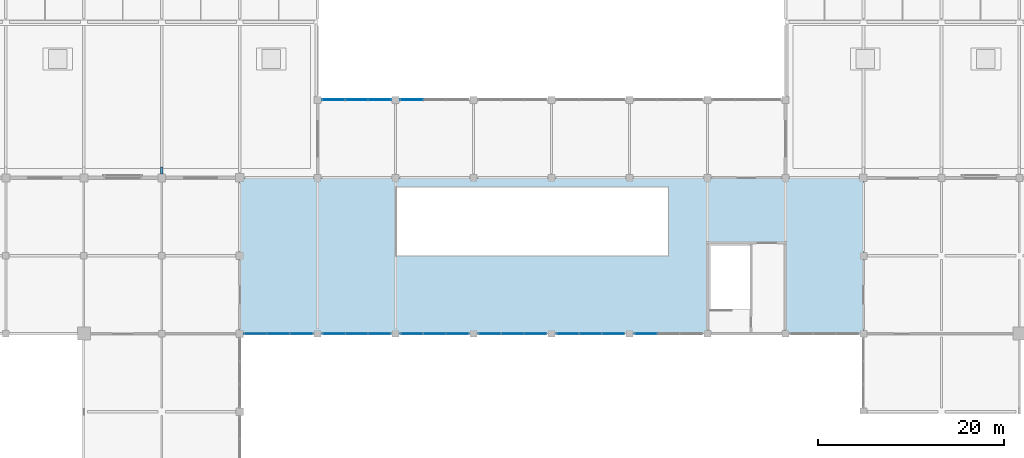
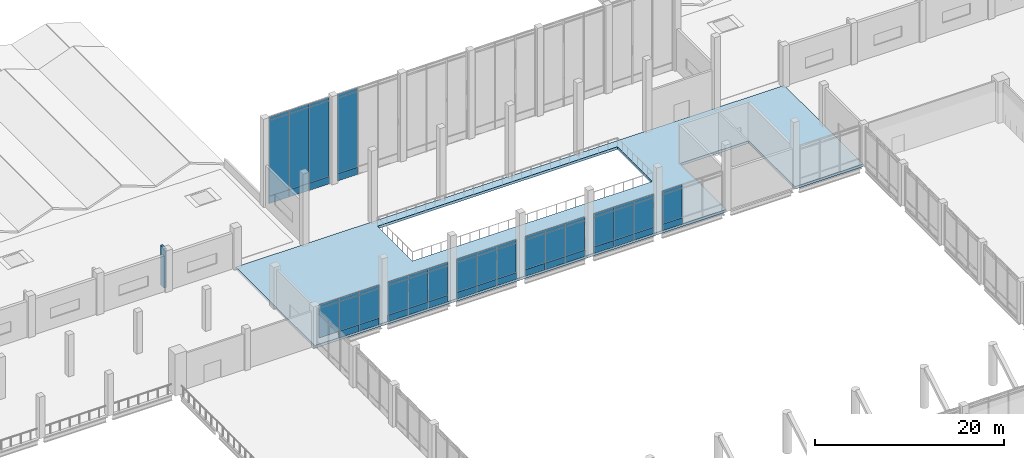
# One storey, part 39 of 72: 60 plates, 1 slab, 8 elements without a shape of their own.
"""IFC4 building model written with IfcOpenShell, lengths in metres."""

from ifc_helpers import new_model, si_unit, direction, frame, frame_2d, origin, place, context, subcontext, project, spatial, polyline, rectangle, outline, extrude, material, layer, layer_set, type_object, element, aggregate, save


model = new_model("IFC4")

# Units and contexts
model_context = context("Model", 3, precision=1e-05, world=origin(), true_north=direction((0.0, 1.0)))
body_context = subcontext(model_context, "Body", "Model", "MODEL_VIEW")
ifc_project = project(units=[si_unit("LENGTHUNIT", "METRE"), si_unit("AREAUNIT", "SQUARE_METRE"), si_unit("VOLUMEUNIT", "CUBIC_METRE"), si_unit("PLANEANGLEUNIT", "RADIAN"), si_unit("MASSUNIT", "GRAM", prefix="KILO")], contexts=[model_context])

# Site, building, storey
site_placement = place(None, origin())
site = spatial("IfcSite", under=ifc_project, at=site_placement, CompositionType="ELEMENT")
building_placement = place(site_placement, origin())
building = spatial("IfcBuilding", under=site, at=building_placement, Name="Qawsi Khor Wholesale Market", CompositionType="ELEMENT")
storey_placement = place(building_placement, frame((0.0, 0.0, 6.0)))
storey = spatial("IfcBuildingStorey", under=building, at=storey_placement, Name="L01", CompositionType="ELEMENT", Elevation=6.0)

# Slab
ifc_material_1 = material(Name="Concrete C40/50", Category="concrete")
ifc_layer_1 = layer(ifc_material_1, 0.330078125, Name="Concrete C40/50")
ifc_layer_set_1 = layer_set([ifc_layer_1], Name="Concrete C40/50")
slab_type = type_object("IfcSlabType", Name="Heavy Lab & Auction Slab 330 C40/50", PredefinedType="FLOOR", material=ifc_layer_set_1)
slab_placement = place(storey_placement, frame((0.0, 0.0, -0.330078125)))
element("IfcSlab", 1, at=slab_placement, inside=storey, type_object=slab_type, Name="SLB-L01-AUC-MAIN", PredefinedType="FLOOR", context=body_context, shape_type="SweptSolid", body=[
    extrude(outline(polyline([(75.60009765625, 109.199951171875), (142.800048828125, 109.199951171875), (142.800048828125, 92.39990234375), (134.39990234375, 92.39990234375), (134.39990234375, 102.199951171875), (126.0, 102.199951171875), (126.0, 92.39990234375), (75.60009765625, 92.39990234375), (75.60009765625, 109.199951171875)]), holes=[polyline([(121.800048828125, 108.199951171875), (92.39990234375, 108.199951171875), (92.39990234375, 100.800048828125), (121.800048828125, 100.800048828125), (121.800048828125, 108.199951171875)])]), origin(), (0.0, 0.0, 1.0), 0.330078125),
])

# Curtain wall, plates
ifc_material_2 = material(Name="Aluminium Anodised Bronze", Category="aluminium")
ifc_layer_2 = layer(ifc_material_2, 0.219970703125, Name="Aluminium Anodised Bronze")
ifc_layer_set_2 = layer_set([ifc_layer_2], Name="Aluminium Anodised Bronze")
curtain_wall_type = type_object("IfcCurtainWallType", Name="Auction Clerestory Curtain Wall CW-04", PredefinedType="NOTDEFINED", material=ifc_layer_set_2)
curtain_wall_1_placement = place(storey_placement, origin())
curtain_wall_1 = element("IfcCurtainWall", 2, at=curtain_wall_1_placement, inside=storey, type_object=curtain_wall_type, Name="Curtain wall CW-CW-04-L01-098", PredefinedType="NOTDEFINED")
ifc_material_3 = material(Name="Anodised Aluminium Spandrel", Category="aluminium")
ifc_layer_3 = layer(ifc_material_3, 0.0849609375, Name="Anodised Aluminium Spandrel")
ifc_layer_set_3 = layer_set([ifc_layer_3], Name="Anodised Aluminium Spandrel")
plate_type_1 = type_object("IfcPlateType", Name="Insulated Spandrel Panel CW-04 85mm", PredefinedType="CURTAIN_PANEL", material=ifc_layer_set_3)
plate_1_placement = place(storey_placement, frame((78.550048828125, 92.39990234375, 0.0048828125), z_axis=(0.0, 0.0, 1.0), x_axis=(1.0, 0.0, 0.0)))
plate_1 = element("IfcPlate", 3, at=plate_1_placement, type_object=plate_type_1, Name="Curtain panel CW-CW-04-L01-098-P0_01", PredefinedType="CURTAIN_PANEL", context=body_context, shape_type="SweptSolid", body=[
    extrude(rectangle(XDim=2.449951171875, YDim=0.0849609375, at=frame_2d((1.22509765625, 0.0))), origin(), (0.0, 0.0, 1.0), 0.840087890625),
])
plate_2_placement = place(storey_placement, frame((81.0, 92.39990234375, 0.0048828125), z_axis=(0.0, 0.0, 1.0), x_axis=(1.0, 0.0, 0.0)))
plate_2 = element("IfcPlate", 4, at=plate_2_placement, type_object=plate_type_1, Name="Curtain panel CW-CW-04-L01-098-P0_02", PredefinedType="CURTAIN_PANEL", context=body_context, shape_type="SweptSolid", body=[
    extrude(rectangle(XDim=2.449951171875, YDim=0.0849609375, at=frame_2d((1.22509765625, 0.0))), origin(), (0.0, 0.0, 1.0), 0.840087890625),
])

curtain_wall_2_placement = place(storey_placement, origin())
curtain_wall_2 = element("IfcCurtainWall", 5, at=curtain_wall_2_placement, inside=storey, type_object=curtain_wall_type, Name="Curtain wall CW-CW-04-L01-100", PredefinedType="NOTDEFINED")
plate_3_placement = place(storey_placement, frame((84.550048828125, 92.39990234375, 0.0048828125), z_axis=(0.0, 0.0, 1.0), x_axis=(1.0, 0.0, 0.0)))
plate_3 = element("IfcPlate", 6, at=plate_3_placement, type_object=plate_type_1, Name="Curtain panel CW-CW-04-L01-100-P0_00", PredefinedType="CURTAIN_PANEL", context=body_context, shape_type="SweptSolid", body=[
    extrude(rectangle(XDim=2.433349609375, YDim=0.0849609375, at=frame_2d((1.216796875, 0.0))), origin(), (0.0, 0.0, 1.0), 0.840087890625),
])
plate_4_placement = place(storey_placement, frame((86.9833984375, 92.39990234375, 0.0048828125), z_axis=(0.0, 0.0, 1.0), x_axis=(1.0, 0.0, 0.0)))
plate_4 = element("IfcPlate", 7, at=plate_4_placement, type_object=plate_type_1, Name="Curtain panel CW-CW-04-L01-100-P0_01", PredefinedType="CURTAIN_PANEL", context=body_context, shape_type="SweptSolid", body=[
    extrude(rectangle(XDim=2.433349609375, YDim=0.0849609375, at=frame_2d((1.216796875, 0.0))), origin(), (0.0, 0.0, 1.0), 0.840087890625),
])
plate_5_placement = place(storey_placement, frame((89.416748046875, 92.39990234375, 0.0048828125), z_axis=(0.0, 0.0, 1.0), x_axis=(1.0, 0.0, 0.0)))
plate_5 = element("IfcPlate", 8, at=plate_5_placement, type_object=plate_type_1, Name="Curtain panel CW-CW-04-L01-100-P0_02", PredefinedType="CURTAIN_PANEL", context=body_context, shape_type="SweptSolid", body=[
    extrude(rectangle(XDim=2.433349609375, YDim=0.0849609375, at=frame_2d((1.216796875, 0.0))), origin(), (0.0, 0.0, 1.0), 0.840087890625),
])

curtain_wall_3_placement = place(storey_placement, origin())
curtain_wall_3 = element("IfcCurtainWall", 9, at=curtain_wall_3_placement, inside=storey, type_object=curtain_wall_type, Name="Curtain wall CW-CW-04-L01-101", PredefinedType="NOTDEFINED")
plate_6_placement = place(storey_placement, frame((84.5, 117.60009765625, 0.0048828125), z_axis=(0.0, 0.0, 1.0), x_axis=(1.0, 0.0, 0.0)))
plate_6 = element("IfcPlate", 10, at=plate_6_placement, type_object=plate_type_1, Name="Curtain panel CW-CW-04-L01-101-P0_00", PredefinedType="CURTAIN_PANEL", context=body_context, shape_type="SweptSolid", body=[
    extrude(rectangle(XDim=2.466796875, YDim=0.0849609375, at=frame_2d((1.2333984375, 0.0))), origin(), (0.0, 0.0, 1.0), 0.940185546875),
])
plate_7_placement = place(storey_placement, frame((86.966796875, 117.60009765625, 0.0048828125), z_axis=(0.0, 0.0, 1.0), x_axis=(1.0, 0.0, 0.0)))
plate_7 = element("IfcPlate", 11, at=plate_7_placement, type_object=plate_type_1, Name="Curtain panel CW-CW-04-L01-101-P0_01", PredefinedType="CURTAIN_PANEL", context=body_context, shape_type="SweptSolid", body=[
    extrude(rectangle(XDim=2.466552734375, YDim=0.0849609375, at=frame_2d((1.2333984375, 0.0))), origin(), (0.0, 0.0, 1.0), 0.940185546875),
])
plate_8_placement = place(storey_placement, frame((89.433349609375, 117.60009765625, 0.0048828125), z_axis=(0.0, 0.0, 1.0), x_axis=(1.0, 0.0, 0.0)))
plate_8 = element("IfcPlate", 12, at=plate_8_placement, type_object=plate_type_1, Name="Curtain panel CW-CW-04-L01-101-P0_02", PredefinedType="CURTAIN_PANEL", context=body_context, shape_type="SweptSolid", body=[
    extrude(rectangle(XDim=2.466552734375, YDim=0.0849609375, at=frame_2d((1.2333984375, 0.0))), origin(), (0.0, 0.0, 1.0), 0.940185546875),
])

curtain_wall_4_placement = place(storey_placement, origin())
curtain_wall_4 = element("IfcCurtainWall", 13, at=curtain_wall_4_placement, inside=storey, type_object=curtain_wall_type, Name="Curtain wall CW-CW-04-L01-103", PredefinedType="NOTDEFINED")
plate_9_placement = place(storey_placement, frame((92.949951171875, 92.39990234375, 0.0048828125), z_axis=(0.0, 0.0, 1.0), x_axis=(1.0, 0.0, 0.0)))
plate_9 = element("IfcPlate", 14, at=plate_9_placement, type_object=plate_type_1, Name="Curtain panel CW-CW-04-L01-103-P0_00", PredefinedType="CURTAIN_PANEL", context=body_context, shape_type="SweptSolid", body=[
    extrude(rectangle(XDim=2.433349609375, YDim=0.0849609375, at=frame_2d((1.216796875, 0.0))), origin(), (0.0, 0.0, 1.0), 0.840087890625),
])
plate_10_placement = place(storey_placement, frame((95.38330078125, 92.39990234375, 0.0048828125), z_axis=(0.0, 0.0, 1.0), x_axis=(1.0, 0.0, 0.0)))
plate_10 = element("IfcPlate", 15, at=plate_10_placement, type_object=plate_type_1, Name="Curtain panel CW-CW-04-L01-103-P0_01", PredefinedType="CURTAIN_PANEL", context=body_context, shape_type="SweptSolid", body=[
    extrude(rectangle(XDim=2.433349609375, YDim=0.0849609375, at=frame_2d((1.216796875, 0.0))), origin(), (0.0, 0.0, 1.0), 0.840087890625),
])
plate_11_placement = place(storey_placement, frame((97.816650390625, 92.39990234375, 0.0048828125), z_axis=(0.0, 0.0, 1.0), x_axis=(1.0, 0.0, 0.0)))
plate_11 = element("IfcPlate", 16, at=plate_11_placement, type_object=plate_type_1, Name="Curtain panel CW-CW-04-L01-103-P0_02", PredefinedType="CURTAIN_PANEL", context=body_context, shape_type="SweptSolid", body=[
    extrude(rectangle(XDim=2.433349609375, YDim=0.0849609375, at=frame_2d((1.216796875, 0.0))), origin(), (0.0, 0.0, 1.0), 0.840087890625),
])

# Curtain wall, plate
curtain_wall_5_placement = place(storey_placement, origin())
curtain_wall_5 = element("IfcCurtainWall", 17, at=curtain_wall_5_placement, inside=storey, type_object=curtain_wall_type, Name="Curtain wall CW-CW-04-L01-104", PredefinedType="NOTDEFINED")
plate_12_placement = place(storey_placement, frame((92.89990234375, 117.60009765625, 0.0048828125), z_axis=(0.0, 0.0, 1.0), x_axis=(1.0, 0.0, 0.0)))
plate_12 = element("IfcPlate", 18, at=plate_12_placement, type_object=plate_type_1, Name="Curtain panel CW-CW-04-L01-104-P0_00", PredefinedType="CURTAIN_PANEL", context=body_context, shape_type="SweptSolid", body=[
    extrude(rectangle(XDim=2.466796875, YDim=0.0849609375, at=frame_2d((1.2333984375, 0.0))), origin(), (0.0, 0.0, 1.0), 0.940185546875),
])

# Curtain wall, plates
curtain_wall_6_placement = place(storey_placement, origin())
curtain_wall_6 = element("IfcCurtainWall", 19, at=curtain_wall_6_placement, inside=storey, type_object=curtain_wall_type, Name="Curtain wall CW-CW-04-L01-106", PredefinedType="NOTDEFINED")
plate_13_placement = place(storey_placement, frame((101.35009765625, 92.39990234375, 0.0048828125), z_axis=(0.0, 0.0, 1.0), x_axis=(1.0, 0.0, 0.0)))
plate_13 = element("IfcPlate", 20, at=plate_13_placement, type_object=plate_type_1, Name="Curtain panel CW-CW-04-L01-106-P0_00", PredefinedType="CURTAIN_PANEL", context=body_context, shape_type="SweptSolid", body=[
    extrude(rectangle(XDim=2.43310546875, YDim=0.0849609375, at=frame_2d((1.216552734375, 0.0))), origin(), (0.0, 0.0, 1.0), 0.840087890625),
])
plate_14_placement = place(storey_placement, frame((103.783203125, 92.39990234375, 0.0048828125), z_axis=(0.0, 0.0, 1.0), x_axis=(1.0, 0.0, 0.0)))
plate_14 = element("IfcPlate", 21, at=plate_14_placement, type_object=plate_type_1, Name="Curtain panel CW-CW-04-L01-106-P0_01", PredefinedType="CURTAIN_PANEL", context=body_context, shape_type="SweptSolid", body=[
    extrude(rectangle(XDim=2.43359375, YDim=0.0849609375, at=frame_2d((1.216796875, 0.0))), origin(), (0.0, 0.0, 1.0), 0.840087890625),
])
plate_15_placement = place(storey_placement, frame((106.216796875, 92.39990234375, 0.0048828125), z_axis=(0.0, 0.0, 1.0), x_axis=(1.0, 0.0, 0.0)))
plate_15 = element("IfcPlate", 22, at=plate_15_placement, type_object=plate_type_1, Name="Curtain panel CW-CW-04-L01-106-P0_02", PredefinedType="CURTAIN_PANEL", context=body_context, shape_type="SweptSolid", body=[
    extrude(rectangle(XDim=2.43310546875, YDim=0.0849609375, at=frame_2d((1.216552734375, 0.0))), origin(), (0.0, 0.0, 1.0), 0.840087890625),
])

curtain_wall_7_placement = place(storey_placement, origin())
curtain_wall_7 = element("IfcCurtainWall", 23, at=curtain_wall_7_placement, inside=storey, type_object=curtain_wall_type, Name="Curtain wall CW-CW-04-L01-109", PredefinedType="NOTDEFINED")
plate_16_placement = place(storey_placement, frame((109.75, 92.39990234375, 0.0048828125), z_axis=(0.0, 0.0, 1.0), x_axis=(1.0, 0.0, 0.0)))
plate_16 = element("IfcPlate", 24, at=plate_16_placement, type_object=plate_type_1, Name="Curtain panel CW-CW-04-L01-109-P0_00", PredefinedType="CURTAIN_PANEL", context=body_context, shape_type="SweptSolid", body=[
    extrude(rectangle(XDim=2.433349609375, YDim=0.0849609375, at=frame_2d((1.216796875, 0.0))), origin(), (0.0, 0.0, 1.0), 0.840087890625),
])
plate_17_placement = place(storey_placement, frame((112.183349609375, 92.39990234375, 0.0048828125), z_axis=(0.0, 0.0, 1.0), x_axis=(1.0, 0.0, 0.0)))
plate_17 = element("IfcPlate", 25, at=plate_17_placement, type_object=plate_type_1, Name="Curtain panel CW-CW-04-L01-109-P0_01", PredefinedType="CURTAIN_PANEL", context=body_context, shape_type="SweptSolid", body=[
    extrude(rectangle(XDim=2.433349609375, YDim=0.0849609375, at=frame_2d((1.216796875, 0.0))), origin(), (0.0, 0.0, 1.0), 0.840087890625),
])
plate_18_placement = place(storey_placement, frame((114.61669921875, 92.39990234375, 0.0048828125), z_axis=(0.0, 0.0, 1.0), x_axis=(1.0, 0.0, 0.0)))
plate_18 = element("IfcPlate", 26, at=plate_18_placement, type_object=plate_type_1, Name="Curtain panel CW-CW-04-L01-109-P0_02", PredefinedType="CURTAIN_PANEL", context=body_context, shape_type="SweptSolid", body=[
    extrude(rectangle(XDim=2.433349609375, YDim=0.0849609375, at=frame_2d((1.216796875, 0.0))), origin(), (0.0, 0.0, 1.0), 0.840087890625),
])

# Curtain wall, plate
curtain_wall_8_placement = place(storey_placement, origin())
curtain_wall_8 = element("IfcCurtainWall", 27, at=curtain_wall_8_placement, inside=storey, type_object=curtain_wall_type, Name="Curtain wall CW-CW-04-L01-112", PredefinedType="NOTDEFINED")
plate_19_placement = place(storey_placement, frame((118.14990234375, 92.39990234375, 0.0048828125), z_axis=(0.0, 0.0, 1.0), x_axis=(1.0, 0.0, 0.0)))
plate_19 = element("IfcPlate", 28, at=plate_19_placement, type_object=plate_type_1, Name="Curtain panel CW-CW-04-L01-112-P0_00", PredefinedType="CURTAIN_PANEL", context=body_context, shape_type="SweptSolid", body=[
    extrude(rectangle(XDim=2.433349609375, YDim=0.0849609375, at=frame_2d((1.216796875, 0.0))), origin(), (0.0, 0.0, 1.0), 0.840087890625),
])

# Plate
ifc_layer_4 = layer(ifc_material_1, 0.260009765625, Name="Concrete C40/50")
ifc_layer_set_4 = layer_set([ifc_layer_4], Name="Concrete C40/50")
plate_type_2 = type_object("IfcPlateType", Name="Sculpted Concrete Solar Buttress Fin 260", PredefinedType="SHEET", material=ifc_layer_set_4)
plate_20_placement = place(storey_placement, frame((67.199951171875, 109.590087890625, 0.0), z_axis=(0.0, 0.0, 1.0), x_axis=(0.0, 1.0, 0.0)))
element("IfcPlate", 29, at=plate_20_placement, inside=storey, type_object=plate_type_2, Name="West Hall North Concrete Fin L01-8", PredefinedType="SHEET", context=body_context, shape_type="SweptSolid", body=[
    extrude(rectangle(XDim=0.760009765625, YDim=0.260009765625, at=frame_2d((0.3798828125, 0.0))), origin(), (0.0, 0.0, 1.0), 5.1298828125),
])

ifc_material_4 = material(Name="Tempered Low-E Solar Glass", Category="glass")
ifc_layer_5 = layer(ifc_material_4, 0.050048828125, Name="Tempered Low-E Solar Glass")
ifc_layer_set_5 = layer_set([ifc_layer_5], Name="Tempered Low-E Solar Glass")
plate_type_3 = type_object("IfcPlateType", Name="Solar Double-Glazed Unit CW-04 50mm", PredefinedType="CURTAIN_PANEL", material=ifc_layer_set_5)
plate_21_placement = place(storey_placement, frame((76.10009765625, 92.39990234375, 0.85498046875), z_axis=(0.0, 0.0, 1.0), x_axis=(1.0, 0.0, 0.0)))
plate_21 = element("IfcPlate", 30, at=plate_21_placement, type_object=plate_type_3, Name="Curtain panel CW-CW-04-L01-098-P1_00", PredefinedType="CURTAIN_PANEL", context=body_context, shape_type="SweptSolid", body=[
    extrude(rectangle(XDim=2.449951171875, YDim=0.050048828125, at=frame_2d((1.22509765625, 0.0))), origin(), (0.0, 0.0, 1.0), 3.81005859375),
])

plate_22_placement = place(storey_placement, frame((78.550048828125, 92.39990234375, 0.85498046875), z_axis=(0.0, 0.0, 1.0), x_axis=(1.0, 0.0, 0.0)))
plate_22 = element("IfcPlate", 31, at=plate_22_placement, type_object=plate_type_3, Name="Curtain panel CW-CW-04-L01-098-P1_01", PredefinedType="CURTAIN_PANEL", context=body_context, shape_type="SweptSolid", body=[
    extrude(rectangle(XDim=2.449951171875, YDim=0.050048828125, at=frame_2d((1.22509765625, 0.0))), origin(), (0.0, 0.0, 1.0), 3.81005859375),
])

plate_23_placement = place(storey_placement, frame((81.0, 92.39990234375, 0.85498046875), z_axis=(0.0, 0.0, 1.0), x_axis=(1.0, 0.0, 0.0)))
plate_23 = element("IfcPlate", 32, at=plate_23_placement, type_object=plate_type_3, Name="Curtain panel CW-CW-04-L01-098-P1_02", PredefinedType="CURTAIN_PANEL", context=body_context, shape_type="SweptSolid", body=[
    extrude(rectangle(XDim=2.449951171875, YDim=0.050048828125, at=frame_2d((1.22509765625, 0.0))), origin(), (0.0, 0.0, 1.0), 3.81005859375),
])

plate_24_placement = place(storey_placement, frame((76.10009765625, 92.39990234375, 4.675048828125), z_axis=(0.0, 0.0, 1.0), x_axis=(1.0, 0.0, 0.0)))
plate_24 = element("IfcPlate", 33, at=plate_24_placement, type_object=plate_type_3, Name="Curtain panel CW-CW-04-L01-098-P2_00", PredefinedType="CURTAIN_PANEL", context=body_context, shape_type="SweptSolid", body=[
    extrude(rectangle(XDim=2.449951171875, YDim=0.050048828125, at=frame_2d((1.22509765625, 0.0))), origin(), (0.0, 0.0, 1.0), 0.43994140625),
])

plate_25_placement = place(storey_placement, frame((78.550048828125, 92.39990234375, 4.675048828125), z_axis=(0.0, 0.0, 1.0), x_axis=(1.0, 0.0, 0.0)))
plate_25 = element("IfcPlate", 34, at=plate_25_placement, type_object=plate_type_3, Name="Curtain panel CW-CW-04-L01-098-P2_01", PredefinedType="CURTAIN_PANEL", context=body_context, shape_type="SweptSolid", body=[
    extrude(rectangle(XDim=2.449951171875, YDim=0.050048828125, at=frame_2d((1.22509765625, 0.0))), origin(), (0.0, 0.0, 1.0), 0.43994140625),
])

plate_26_placement = place(storey_placement, frame((81.0, 92.39990234375, 4.675048828125), z_axis=(0.0, 0.0, 1.0), x_axis=(1.0, 0.0, 0.0)))
plate_26 = element("IfcPlate", 35, at=plate_26_placement, type_object=plate_type_3, Name="Curtain panel CW-CW-04-L01-098-P2_02", PredefinedType="CURTAIN_PANEL", context=body_context, shape_type="SweptSolid", body=[
    extrude(rectangle(XDim=2.449951171875, YDim=0.050048828125, at=frame_2d((1.22509765625, 0.0))), origin(), (0.0, 0.0, 1.0), 0.43994140625),
])

aggregate(curtain_wall_1, [plate_1, plate_2, plate_21, plate_22, plate_23, plate_24, plate_25, plate_26])

plate_27_placement = place(storey_placement, frame((84.550048828125, 92.39990234375, 0.85498046875), z_axis=(0.0, 0.0, 1.0), x_axis=(1.0, 0.0, 0.0)))
plate_27 = element("IfcPlate", 36, at=plate_27_placement, type_object=plate_type_3, Name="Curtain panel CW-CW-04-L01-100-P1_00", PredefinedType="CURTAIN_PANEL", context=body_context, shape_type="SweptSolid", body=[
    extrude(rectangle(XDim=2.433349609375, YDim=0.050048828125, at=frame_2d((1.216796875, 0.0))), origin(), (0.0, 0.0, 1.0), 3.81005859375),
])

plate_28_placement = place(storey_placement, frame((86.9833984375, 92.39990234375, 0.85498046875), z_axis=(0.0, 0.0, 1.0), x_axis=(1.0, 0.0, 0.0)))
plate_28 = element("IfcPlate", 37, at=plate_28_placement, type_object=plate_type_3, Name="Curtain panel CW-CW-04-L01-100-P1_01", PredefinedType="CURTAIN_PANEL", context=body_context, shape_type="SweptSolid", body=[
    extrude(rectangle(XDim=2.433349609375, YDim=0.050048828125, at=frame_2d((1.216796875, 0.0))), origin(), (0.0, 0.0, 1.0), 3.81005859375),
])

plate_29_placement = place(storey_placement, frame((89.416748046875, 92.39990234375, 0.85498046875), z_axis=(0.0, 0.0, 1.0), x_axis=(1.0, 0.0, 0.0)))
plate_29 = element("IfcPlate", 38, at=plate_29_placement, type_object=plate_type_3, Name="Curtain panel CW-CW-04-L01-100-P1_02", PredefinedType="CURTAIN_PANEL", context=body_context, shape_type="SweptSolid", body=[
    extrude(rectangle(XDim=2.433349609375, YDim=0.050048828125, at=frame_2d((1.216796875, 0.0))), origin(), (0.0, 0.0, 1.0), 3.81005859375),
])

plate_30_placement = place(storey_placement, frame((84.550048828125, 92.39990234375, 4.675048828125), z_axis=(0.0, 0.0, 1.0), x_axis=(1.0, 0.0, 0.0)))
plate_30 = element("IfcPlate", 39, at=plate_30_placement, type_object=plate_type_3, Name="Curtain panel CW-CW-04-L01-100-P2_00", PredefinedType="CURTAIN_PANEL", context=body_context, shape_type="SweptSolid", body=[
    extrude(rectangle(XDim=2.433349609375, YDim=0.050048828125, at=frame_2d((1.216796875, 0.0))), origin(), (0.0, 0.0, 1.0), 0.43994140625),
])

plate_31_placement = place(storey_placement, frame((86.9833984375, 92.39990234375, 4.675048828125), z_axis=(0.0, 0.0, 1.0), x_axis=(1.0, 0.0, 0.0)))
plate_31 = element("IfcPlate", 40, at=plate_31_placement, type_object=plate_type_3, Name="Curtain panel CW-CW-04-L01-100-P2_01", PredefinedType="CURTAIN_PANEL", context=body_context, shape_type="SweptSolid", body=[
    extrude(rectangle(XDim=2.433349609375, YDim=0.050048828125, at=frame_2d((1.216796875, 0.0))), origin(), (0.0, 0.0, 1.0), 0.43994140625),
])

plate_32_placement = place(storey_placement, frame((89.416748046875, 92.39990234375, 4.675048828125), z_axis=(0.0, 0.0, 1.0), x_axis=(1.0, 0.0, 0.0)))
plate_32 = element("IfcPlate", 41, at=plate_32_placement, type_object=plate_type_3, Name="Curtain panel CW-CW-04-L01-100-P2_02", PredefinedType="CURTAIN_PANEL", context=body_context, shape_type="SweptSolid", body=[
    extrude(rectangle(XDim=2.433349609375, YDim=0.050048828125, at=frame_2d((1.216796875, 0.0))), origin(), (0.0, 0.0, 1.0), 0.43994140625),
])

aggregate(curtain_wall_2, [plate_3, plate_4, plate_5, plate_27, plate_28, plate_29, plate_30, plate_31, plate_32])

plate_33_placement = place(storey_placement, frame((84.5, 117.60009765625, 0.955078125), z_axis=(0.0, 0.0, 1.0), x_axis=(1.0, 0.0, 0.0)))
plate_33 = element("IfcPlate", 42, at=plate_33_placement, type_object=plate_type_3, Name="Curtain panel CW-CW-04-L01-101-P1_00", PredefinedType="CURTAIN_PANEL", context=body_context, shape_type="SweptSolid", body=[
    extrude(rectangle(XDim=2.466796875, YDim=0.050048828125, at=frame_2d((1.2333984375, 0.0))), origin(), (0.0, 0.0, 1.0), 9.7900390625),
])

plate_34_placement = place(storey_placement, frame((86.966796875, 117.60009765625, 0.955078125), z_axis=(0.0, 0.0, 1.0), x_axis=(1.0, 0.0, 0.0)))
plate_34 = element("IfcPlate", 43, at=plate_34_placement, type_object=plate_type_3, Name="Curtain panel CW-CW-04-L01-101-P1_01", PredefinedType="CURTAIN_PANEL", context=body_context, shape_type="SweptSolid", body=[
    extrude(rectangle(XDim=2.466552734375, YDim=0.050048828125, at=frame_2d((1.2333984375, 0.0))), origin(), (0.0, 0.0, 1.0), 9.7900390625),
])

plate_35_placement = place(storey_placement, frame((89.433349609375, 117.60009765625, 0.955078125), z_axis=(0.0, 0.0, 1.0), x_axis=(1.0, 0.0, 0.0)))
plate_35 = element("IfcPlate", 44, at=plate_35_placement, type_object=plate_type_3, Name="Curtain panel CW-CW-04-L01-101-P1_02", PredefinedType="CURTAIN_PANEL", context=body_context, shape_type="SweptSolid", body=[
    extrude(rectangle(XDim=2.466552734375, YDim=0.050048828125, at=frame_2d((1.2333984375, 0.0))), origin(), (0.0, 0.0, 1.0), 9.7900390625),
])

plate_36_placement = place(storey_placement, frame((84.5, 117.60009765625, 10.7548828125), z_axis=(0.0, 0.0, 1.0), x_axis=(1.0, 0.0, 0.0)))
plate_36 = element("IfcPlate", 45, at=plate_36_placement, type_object=plate_type_3, Name="Curtain panel CW-CW-04-L01-101-P2_00", PredefinedType="CURTAIN_PANEL", context=body_context, shape_type="SweptSolid", body=[
    extrude(rectangle(XDim=2.466796875, YDim=0.050048828125, at=frame_2d((1.2333984375, 0.0))), origin(), (0.0, 0.0, 1.0), 0.440185546875),
])

plate_37_placement = place(storey_placement, frame((86.966796875, 117.60009765625, 10.7548828125), z_axis=(0.0, 0.0, 1.0), x_axis=(1.0, 0.0, 0.0)))
plate_37 = element("IfcPlate", 46, at=plate_37_placement, type_object=plate_type_3, Name="Curtain panel CW-CW-04-L01-101-P2_01", PredefinedType="CURTAIN_PANEL", context=body_context, shape_type="SweptSolid", body=[
    extrude(rectangle(XDim=2.466552734375, YDim=0.050048828125, at=frame_2d((1.2333984375, 0.0))), origin(), (0.0, 0.0, 1.0), 0.440185546875),
])

plate_38_placement = place(storey_placement, frame((89.433349609375, 117.60009765625, 10.7548828125), z_axis=(0.0, 0.0, 1.0), x_axis=(1.0, 0.0, 0.0)))
plate_38 = element("IfcPlate", 47, at=plate_38_placement, type_object=plate_type_3, Name="Curtain panel CW-CW-04-L01-101-P2_02", PredefinedType="CURTAIN_PANEL", context=body_context, shape_type="SweptSolid", body=[
    extrude(rectangle(XDim=2.466552734375, YDim=0.050048828125, at=frame_2d((1.2333984375, 0.0))), origin(), (0.0, 0.0, 1.0), 0.440185546875),
])

aggregate(curtain_wall_3, [plate_6, plate_7, plate_8, plate_33, plate_34, plate_35, plate_36, plate_37, plate_38])

plate_39_placement = place(storey_placement, frame((92.949951171875, 92.39990234375, 0.85498046875), z_axis=(0.0, 0.0, 1.0), x_axis=(1.0, 0.0, 0.0)))
plate_39 = element("IfcPlate", 48, at=plate_39_placement, type_object=plate_type_3, Name="Curtain panel CW-CW-04-L01-103-P1_00", PredefinedType="CURTAIN_PANEL", context=body_context, shape_type="SweptSolid", body=[
    extrude(rectangle(XDim=2.433349609375, YDim=0.050048828125, at=frame_2d((1.216796875, 0.0))), origin(), (0.0, 0.0, 1.0), 3.81005859375),
])

plate_40_placement = place(storey_placement, frame((95.38330078125, 92.39990234375, 0.85498046875), z_axis=(0.0, 0.0, 1.0), x_axis=(1.0, 0.0, 0.0)))
plate_40 = element("IfcPlate", 49, at=plate_40_placement, type_object=plate_type_3, Name="Curtain panel CW-CW-04-L01-103-P1_01", PredefinedType="CURTAIN_PANEL", context=body_context, shape_type="SweptSolid", body=[
    extrude(rectangle(XDim=2.433349609375, YDim=0.050048828125, at=frame_2d((1.216796875, 0.0))), origin(), (0.0, 0.0, 1.0), 3.81005859375),
])

plate_41_placement = place(storey_placement, frame((97.816650390625, 92.39990234375, 0.85498046875), z_axis=(0.0, 0.0, 1.0), x_axis=(1.0, 0.0, 0.0)))
plate_41 = element("IfcPlate", 50, at=plate_41_placement, type_object=plate_type_3, Name="Curtain panel CW-CW-04-L01-103-P1_02", PredefinedType="CURTAIN_PANEL", context=body_context, shape_type="SweptSolid", body=[
    extrude(rectangle(XDim=2.433349609375, YDim=0.050048828125, at=frame_2d((1.216796875, 0.0))), origin(), (0.0, 0.0, 1.0), 3.81005859375),
])

plate_42_placement = place(storey_placement, frame((92.949951171875, 92.39990234375, 4.675048828125), z_axis=(0.0, 0.0, 1.0), x_axis=(1.0, 0.0, 0.0)))
plate_42 = element("IfcPlate", 51, at=plate_42_placement, type_object=plate_type_3, Name="Curtain panel CW-CW-04-L01-103-P2_00", PredefinedType="CURTAIN_PANEL", context=body_context, shape_type="SweptSolid", body=[
    extrude(rectangle(XDim=2.433349609375, YDim=0.050048828125, at=frame_2d((1.216796875, 0.0))), origin(), (0.0, 0.0, 1.0), 0.43994140625),
])

plate_43_placement = place(storey_placement, frame((95.38330078125, 92.39990234375, 4.675048828125), z_axis=(0.0, 0.0, 1.0), x_axis=(1.0, 0.0, 0.0)))
plate_43 = element("IfcPlate", 52, at=plate_43_placement, type_object=plate_type_3, Name="Curtain panel CW-CW-04-L01-103-P2_01", PredefinedType="CURTAIN_PANEL", context=body_context, shape_type="SweptSolid", body=[
    extrude(rectangle(XDim=2.433349609375, YDim=0.050048828125, at=frame_2d((1.216796875, 0.0))), origin(), (0.0, 0.0, 1.0), 0.43994140625),
])

plate_44_placement = place(storey_placement, frame((97.816650390625, 92.39990234375, 4.675048828125), z_axis=(0.0, 0.0, 1.0), x_axis=(1.0, 0.0, 0.0)))
plate_44 = element("IfcPlate", 53, at=plate_44_placement, type_object=plate_type_3, Name="Curtain panel CW-CW-04-L01-103-P2_02", PredefinedType="CURTAIN_PANEL", context=body_context, shape_type="SweptSolid", body=[
    extrude(rectangle(XDim=2.433349609375, YDim=0.050048828125, at=frame_2d((1.216796875, 0.0))), origin(), (0.0, 0.0, 1.0), 0.43994140625),
])

aggregate(curtain_wall_4, [plate_9, plate_10, plate_11, plate_39, plate_40, plate_41, plate_42, plate_43, plate_44])

plate_45_placement = place(storey_placement, frame((92.89990234375, 117.60009765625, 0.955078125), z_axis=(0.0, 0.0, 1.0), x_axis=(1.0, 0.0, 0.0)))
plate_45 = element("IfcPlate", 54, at=plate_45_placement, type_object=plate_type_3, Name="Curtain panel CW-CW-04-L01-104-P1_00", PredefinedType="CURTAIN_PANEL", context=body_context, shape_type="SweptSolid", body=[
    extrude(rectangle(XDim=2.466796875, YDim=0.050048828125, at=frame_2d((1.2333984375, 0.0))), origin(), (0.0, 0.0, 1.0), 9.7900390625),
])

plate_46_placement = place(storey_placement, frame((92.89990234375, 117.60009765625, 10.7548828125), z_axis=(0.0, 0.0, 1.0), x_axis=(1.0, 0.0, 0.0)))
plate_46 = element("IfcPlate", 55, at=plate_46_placement, type_object=plate_type_3, Name="Curtain panel CW-CW-04-L01-104-P2_00", PredefinedType="CURTAIN_PANEL", context=body_context, shape_type="SweptSolid", body=[
    extrude(rectangle(XDim=2.466796875, YDim=0.050048828125, at=frame_2d((1.2333984375, 0.0))), origin(), (0.0, 0.0, 1.0), 0.440185546875),
])

aggregate(curtain_wall_5, [plate_12, plate_45, plate_46])

plate_47_placement = place(storey_placement, frame((101.35009765625, 92.39990234375, 0.85498046875), z_axis=(0.0, 0.0, 1.0), x_axis=(1.0, 0.0, 0.0)))
plate_47 = element("IfcPlate", 56, at=plate_47_placement, type_object=plate_type_3, Name="Curtain panel CW-CW-04-L01-106-P1_00", PredefinedType="CURTAIN_PANEL", context=body_context, shape_type="SweptSolid", body=[
    extrude(rectangle(XDim=2.43310546875, YDim=0.050048828125, at=frame_2d((1.216552734375, 0.0))), origin(), (0.0, 0.0, 1.0), 3.81005859375),
])

plate_48_placement = place(storey_placement, frame((103.783203125, 92.39990234375, 0.85498046875), z_axis=(0.0, 0.0, 1.0), x_axis=(1.0, 0.0, 0.0)))
plate_48 = element("IfcPlate", 57, at=plate_48_placement, type_object=plate_type_3, Name="Curtain panel CW-CW-04-L01-106-P1_01", PredefinedType="CURTAIN_PANEL", context=body_context, shape_type="SweptSolid", body=[
    extrude(rectangle(XDim=2.43359375, YDim=0.050048828125, at=frame_2d((1.216796875, 0.0))), origin(), (0.0, 0.0, 1.0), 3.81005859375),
])

plate_49_placement = place(storey_placement, frame((106.216796875, 92.39990234375, 0.85498046875), z_axis=(0.0, 0.0, 1.0), x_axis=(1.0, 0.0, 0.0)))
plate_49 = element("IfcPlate", 58, at=plate_49_placement, type_object=plate_type_3, Name="Curtain panel CW-CW-04-L01-106-P1_02", PredefinedType="CURTAIN_PANEL", context=body_context, shape_type="SweptSolid", body=[
    extrude(rectangle(XDim=2.43310546875, YDim=0.050048828125, at=frame_2d((1.216552734375, 0.0))), origin(), (0.0, 0.0, 1.0), 3.81005859375),
])

plate_50_placement = place(storey_placement, frame((101.35009765625, 92.39990234375, 4.675048828125), z_axis=(0.0, 0.0, 1.0), x_axis=(1.0, 0.0, 0.0)))
plate_50 = element("IfcPlate", 59, at=plate_50_placement, type_object=plate_type_3, Name="Curtain panel CW-CW-04-L01-106-P2_00", PredefinedType="CURTAIN_PANEL", context=body_context, shape_type="SweptSolid", body=[
    extrude(rectangle(XDim=2.43310546875, YDim=0.050048828125, at=frame_2d((1.216552734375, 0.0))), origin(), (0.0, 0.0, 1.0), 0.43994140625),
])

plate_51_placement = place(storey_placement, frame((103.783203125, 92.39990234375, 4.675048828125), z_axis=(0.0, 0.0, 1.0), x_axis=(1.0, 0.0, 0.0)))
plate_51 = element("IfcPlate", 60, at=plate_51_placement, type_object=plate_type_3, Name="Curtain panel CW-CW-04-L01-106-P2_01", PredefinedType="CURTAIN_PANEL", context=body_context, shape_type="SweptSolid", body=[
    extrude(rectangle(XDim=2.43359375, YDim=0.050048828125, at=frame_2d((1.216796875, 0.0))), origin(), (0.0, 0.0, 1.0), 0.43994140625),
])

plate_52_placement = place(storey_placement, frame((106.216796875, 92.39990234375, 4.675048828125), z_axis=(0.0, 0.0, 1.0), x_axis=(1.0, 0.0, 0.0)))
plate_52 = element("IfcPlate", 61, at=plate_52_placement, type_object=plate_type_3, Name="Curtain panel CW-CW-04-L01-106-P2_02", PredefinedType="CURTAIN_PANEL", context=body_context, shape_type="SweptSolid", body=[
    extrude(rectangle(XDim=2.43310546875, YDim=0.050048828125, at=frame_2d((1.216552734375, 0.0))), origin(), (0.0, 0.0, 1.0), 0.43994140625),
])

aggregate(curtain_wall_6, [plate_13, plate_14, plate_15, plate_47, plate_48, plate_49, plate_50, plate_51, plate_52])

plate_53_placement = place(storey_placement, frame((109.75, 92.39990234375, 0.85498046875), z_axis=(0.0, 0.0, 1.0), x_axis=(1.0, 0.0, 0.0)))
plate_53 = element("IfcPlate", 62, at=plate_53_placement, type_object=plate_type_3, Name="Curtain panel CW-CW-04-L01-109-P1_00", PredefinedType="CURTAIN_PANEL", context=body_context, shape_type="SweptSolid", body=[
    extrude(rectangle(XDim=2.433349609375, YDim=0.050048828125, at=frame_2d((1.216796875, 0.0))), origin(), (0.0, 0.0, 1.0), 3.81005859375),
])

plate_54_placement = place(storey_placement, frame((112.183349609375, 92.39990234375, 0.85498046875), z_axis=(0.0, 0.0, 1.0), x_axis=(1.0, 0.0, 0.0)))
plate_54 = element("IfcPlate", 63, at=plate_54_placement, type_object=plate_type_3, Name="Curtain panel CW-CW-04-L01-109-P1_01", PredefinedType="CURTAIN_PANEL", context=body_context, shape_type="SweptSolid", body=[
    extrude(rectangle(XDim=2.433349609375, YDim=0.050048828125, at=frame_2d((1.216796875, 0.0))), origin(), (0.0, 0.0, 1.0), 3.81005859375),
])

plate_55_placement = place(storey_placement, frame((114.61669921875, 92.39990234375, 0.85498046875), z_axis=(0.0, 0.0, 1.0), x_axis=(1.0, 0.0, 0.0)))
plate_55 = element("IfcPlate", 64, at=plate_55_placement, type_object=plate_type_3, Name="Curtain panel CW-CW-04-L01-109-P1_02", PredefinedType="CURTAIN_PANEL", context=body_context, shape_type="SweptSolid", body=[
    extrude(rectangle(XDim=2.433349609375, YDim=0.050048828125, at=frame_2d((1.216796875, 0.0))), origin(), (0.0, 0.0, 1.0), 3.81005859375),
])

plate_56_placement = place(storey_placement, frame((109.75, 92.39990234375, 4.675048828125), z_axis=(0.0, 0.0, 1.0), x_axis=(1.0, 0.0, 0.0)))
plate_56 = element("IfcPlate", 65, at=plate_56_placement, type_object=plate_type_3, Name="Curtain panel CW-CW-04-L01-109-P2_00", PredefinedType="CURTAIN_PANEL", context=body_context, shape_type="SweptSolid", body=[
    extrude(rectangle(XDim=2.433349609375, YDim=0.050048828125, at=frame_2d((1.216796875, 0.0))), origin(), (0.0, 0.0, 1.0), 0.43994140625),
])

plate_57_placement = place(storey_placement, frame((112.183349609375, 92.39990234375, 4.675048828125), z_axis=(0.0, 0.0, 1.0), x_axis=(1.0, 0.0, 0.0)))
plate_57 = element("IfcPlate", 66, at=plate_57_placement, type_object=plate_type_3, Name="Curtain panel CW-CW-04-L01-109-P2_01", PredefinedType="CURTAIN_PANEL", context=body_context, shape_type="SweptSolid", body=[
    extrude(rectangle(XDim=2.433349609375, YDim=0.050048828125, at=frame_2d((1.216796875, 0.0))), origin(), (0.0, 0.0, 1.0), 0.43994140625),
])

plate_58_placement = place(storey_placement, frame((114.61669921875, 92.39990234375, 4.675048828125), z_axis=(0.0, 0.0, 1.0), x_axis=(1.0, 0.0, 0.0)))
plate_58 = element("IfcPlate", 67, at=plate_58_placement, type_object=plate_type_3, Name="Curtain panel CW-CW-04-L01-109-P2_02", PredefinedType="CURTAIN_PANEL", context=body_context, shape_type="SweptSolid", body=[
    extrude(rectangle(XDim=2.433349609375, YDim=0.050048828125, at=frame_2d((1.216796875, 0.0))), origin(), (0.0, 0.0, 1.0), 0.43994140625),
])

aggregate(curtain_wall_7, [plate_16, plate_17, plate_18, plate_53, plate_54, plate_55, plate_56, plate_57, plate_58])

plate_59_placement = place(storey_placement, frame((118.14990234375, 92.39990234375, 0.85498046875), z_axis=(0.0, 0.0, 1.0), x_axis=(1.0, 0.0, 0.0)))
plate_59 = element("IfcPlate", 68, at=plate_59_placement, type_object=plate_type_3, Name="Curtain panel CW-CW-04-L01-112-P1_00", PredefinedType="CURTAIN_PANEL", context=body_context, shape_type="SweptSolid", body=[
    extrude(rectangle(XDim=2.433349609375, YDim=0.050048828125, at=frame_2d((1.216796875, 0.0))), origin(), (0.0, 0.0, 1.0), 3.81005859375),
])

plate_60_placement = place(storey_placement, frame((118.14990234375, 92.39990234375, 4.675048828125), z_axis=(0.0, 0.0, 1.0), x_axis=(1.0, 0.0, 0.0)))
plate_60 = element("IfcPlate", 69, at=plate_60_placement, type_object=plate_type_3, Name="Curtain panel CW-CW-04-L01-112-P2_00", PredefinedType="CURTAIN_PANEL", context=body_context, shape_type="SweptSolid", body=[
    extrude(rectangle(XDim=2.433349609375, YDim=0.050048828125, at=frame_2d((1.216796875, 0.0))), origin(), (0.0, 0.0, 1.0), 0.43994140625),
])

aggregate(curtain_wall_8, [plate_19, plate_59, plate_60])

save(model, "model.ifc")
